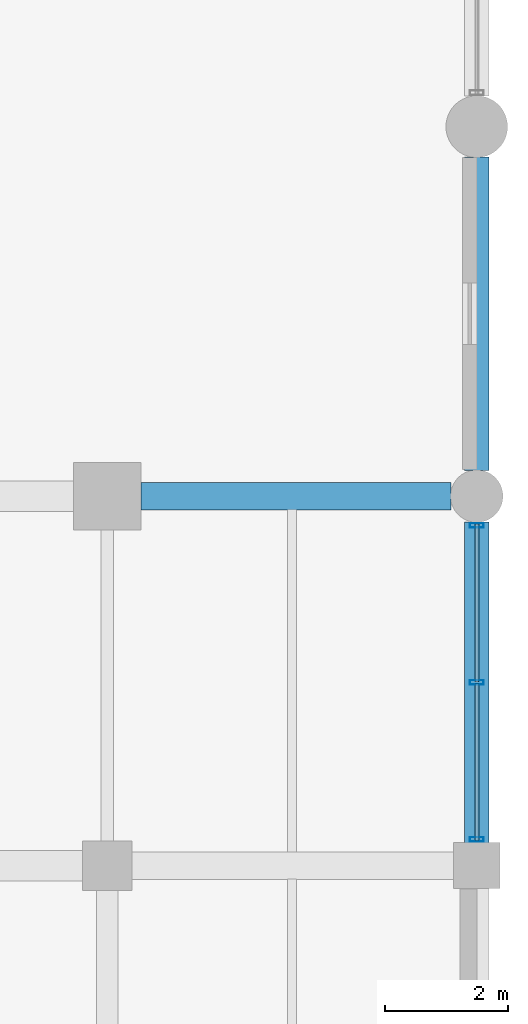
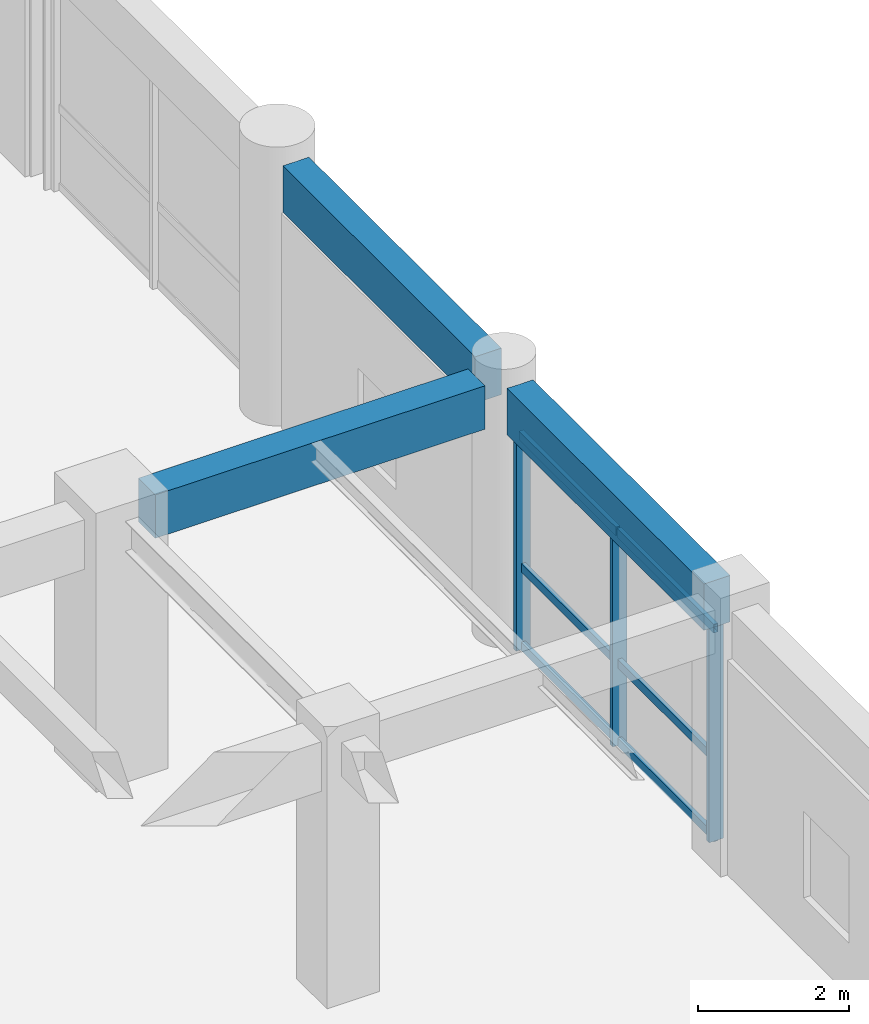
# One storey, part 65 of 133: 9 members, 3 beams, 1 element without a shape of its own.
"""IFC4 building model written with IfcOpenShell, lengths in metres."""

from ifc_helpers import new_model, si_unit, direction, frame, origin, origin_2d, place, context, subcontext, project, spatial, rectangle, hollow_rectangle, extrude, material, material_profile, profile_set, type_object, element, aggregate, save


model = new_model("IFC4")

# Units and contexts
model_context = context("Model", 3, precision=1e-05, world=origin(), true_north=direction((0.0, 1.0)))
body_context = subcontext(model_context, "Body", "Model", "MODEL_VIEW")
ifc_project = project(units=[si_unit("LENGTHUNIT", "METRE"), si_unit("AREAUNIT", "SQUARE_METRE"), si_unit("VOLUMEUNIT", "CUBIC_METRE"), si_unit("PLANEANGLEUNIT", "RADIAN"), si_unit("MASSUNIT", "GRAM", prefix="KILO"), si_unit("THERMODYNAMICTEMPERATUREUNIT", "KELVIN"), si_unit("POWERUNIT", "WATT")], contexts=[model_context])

# Site, building, storey
site_placement = place(None, origin())
site = spatial("IfcSite", under=ifc_project, at=site_placement, CompositionType="ELEMENT")
building_placement = place(site_placement, origin())
building = spatial("IfcBuilding", under=site, at=building_placement, Name="Phaisarnlok Congress Hotel", CompositionType="ELEMENT")
storey_placement = place(building_placement, frame((0.0, 0.0, 6.0)))
storey = spatial("IfcBuildingStorey", under=building, at=storey_placement, Name="L01", CompositionType="ELEMENT", Elevation=6.0)

# Beam
ifc_material_1 = material(Name="Concrete C40/50", Category="concrete")
ifc_material_profile_1 = material_profile(ifc_material_1, rectangle(XDim=0.449951171875, YDim=0.699951171875, at=origin_2d()), Name="RC 450x700")
ifc_profile_set_1 = profile_set([ifc_material_profile_1], Name="Concrete C40/50")
beam_type_1 = type_object("IfcBeamType", Name="BM-RC-450x700", PredefinedType="BEAM", material=ifc_profile_set_1)
beam_1_placement = place(storey_placement, frame((174.544921875, 42.0, 3.8701171875), z_axis=(1.0, 0.0, 0.0), x_axis=(0.0, 1.0, 0.0)))
element("IfcBeam", 1, at=beam_1_placement, inside=storey, type_object=beam_type_1, Name="Beam B-03", PredefinedType="BEAM", context=body_context, shape_type="SweptSolid", body=[
    extrude(rectangle(XDim=0.449951171875, YDim=0.699951171875, at=origin_2d()), origin(), (0.0, 0.0, 1.0), 5.03515625),
])

# Curtain wall, members
ifc_material_2 = material(Name="Thermally Broken Unitised Aluminium & Low-E Glazing", Category="aluminium")
curtain_wall_type = type_object("IfcCurtainWallType", Name="CW-UNIT-15", PredefinedType="NOTDEFINED", material=ifc_material_2)
curtain_wall_placement = place(storey_placement, origin())
curtain_wall = element("IfcCurtainWall", 2, at=curtain_wall_placement, inside=storey, type_object=curtain_wall_type, Name="Unitised curtain wall CW-15 (L01)", PredefinedType="NOTDEFINED")
ifc_material_3 = material(Name="Anodised Aluminium Alloy 6063-T6", Category="aluminium")
ifc_material_profile_2 = material_profile(ifc_material_3, hollow_rectangle(XDim=0.074951171875, YDim=0.219970703125, WallThickness=0.0048828125, at=origin_2d()), Name="ALU-M 75x220x5")
ifc_profile_set_2 = profile_set([ifc_material_profile_2], Name="Anodised Aluminium Alloy 6063-T6")
member_type_1 = type_object("IfcMemberType", Name="CWM-220", PredefinedType="MULLION", material=ifc_profile_set_2)
member_1_placement = place(storey_placement, frame((180.0, 36.425048828125, 0.0), z_axis=(0.0, 0.0, 1.0), x_axis=(0.0, 1.0, 0.0)))
member_1 = element("IfcMember", 3, at=member_1_placement, type_object=member_type_1, Name="Curtain wall mullion CWM-02", PredefinedType="MULLION", context=body_context, shape_type="SweptSolid", body=[
    extrude(hollow_rectangle(XDim=0.074951171875, YDim=0.219970703125, WallThickness=0.0048828125, at=origin_2d()), origin(), (0.0, 0.0, 1.0), 3.469970703125),
])
member_2_placement = place(storey_placement, frame((180.0, 38.97509765625, 0.0), z_axis=(0.0, 0.0, 1.0), x_axis=(0.0, 1.0, 0.0)))
member_2 = element("IfcMember", 4, at=member_2_placement, type_object=member_type_1, Name="Curtain wall mullion CWM-02", PredefinedType="MULLION", context=body_context, shape_type="SweptSolid", body=[
    extrude(hollow_rectangle(XDim=0.074951171875, YDim=0.219970703125, WallThickness=0.0048828125, at=origin_2d()), origin(), (0.0, 0.0, 1.0), 3.469970703125),
])
member_3_placement = place(storey_placement, frame((180.0, 41.52490234375, 0.0), z_axis=(0.0, 0.0, 1.0), x_axis=(0.0, 1.0, 0.0)))
member_3 = element("IfcMember", 5, at=member_3_placement, type_object=member_type_1, Name="Curtain wall mullion CWM-02", PredefinedType="MULLION", context=body_context, shape_type="SweptSolid", body=[
    extrude(hollow_rectangle(XDim=0.074951171875, YDim=0.219970703125, WallThickness=0.0048828125, at=origin_2d()), origin(), (0.0, 0.0, 1.0), 3.469970703125),
])
ifc_material_profile_3 = material_profile(ifc_material_3, hollow_rectangle(XDim=0.06494140625, YDim=0.139892578125, WallThickness=0.00390625, at=origin_2d()), Name="ALU-T 65x140x4")
ifc_profile_set_3 = profile_set([ifc_material_profile_3], Name="Anodised Aluminium Alloy 6063-T6")
member_type_2 = type_object("IfcMemberType", Name="CWT-150", PredefinedType="USERDEFINED", material=ifc_profile_set_3)
member_4_placement = place(storey_placement, frame((180.0, 36.39990234375, 0.050048828125), z_axis=(0.0, 1.0, 0.0), x_axis=(-1.0, 0.0, 0.0)))
member_4 = element("IfcMember", 6, at=member_4_placement, type_object=member_type_2, Name="Curtain wall transom CWT-01", ObjectType="TRANSOM", PredefinedType="USERDEFINED", context=body_context, shape_type="SweptSolid", body=[
    extrude(hollow_rectangle(XDim=0.06494140625, YDim=0.139892578125, WallThickness=0.00390625, at=origin_2d()), origin(), (0.0, 0.0, 1.0), 2.56005859375),
])
member_5_placement = place(storey_placement, frame((180.0, 36.39990234375, 1.318603515625), z_axis=(0.0, 1.0, 0.0), x_axis=(-1.0, 0.0, 0.0)))
member_5 = element("IfcMember", 7, at=member_5_placement, type_object=member_type_2, Name="Curtain wall transom CWT-01", ObjectType="TRANSOM", PredefinedType="USERDEFINED", context=body_context, shape_type="SweptSolid", body=[
    extrude(hollow_rectangle(XDim=0.06494140625, YDim=0.139892578125, WallThickness=0.00390625, at=origin_2d()), origin(), (0.0, 0.0, 1.0), 2.56005859375),
])
member_6_placement = place(storey_placement, frame((180.0, 36.39990234375, 3.419921875), z_axis=(0.0, 1.0, 0.0), x_axis=(-1.0, 0.0, 0.0)))
member_6 = element("IfcMember", 8, at=member_6_placement, type_object=member_type_2, Name="Curtain wall transom CWT-01", ObjectType="TRANSOM", PredefinedType="USERDEFINED", context=body_context, shape_type="SweptSolid", body=[
    extrude(hollow_rectangle(XDim=0.06494140625, YDim=0.139892578125, WallThickness=0.00390625, at=origin_2d()), origin(), (0.0, 0.0, 1.0), 2.56005859375),
])
member_7_placement = place(storey_placement, frame((180.0, 38.989990234375, 0.050048828125), z_axis=(0.0, 1.0, 0.0), x_axis=(-1.0, 0.0, 0.0)))
member_7 = element("IfcMember", 9, at=member_7_placement, type_object=member_type_2, Name="Curtain wall transom CWT-01", ObjectType="TRANSOM", PredefinedType="USERDEFINED", context=body_context, shape_type="SweptSolid", body=[
    extrude(hollow_rectangle(XDim=0.06494140625, YDim=0.139892578125, WallThickness=0.00390625, at=origin_2d()), origin(), (0.0, 0.0, 1.0), 2.56005859375),
])
member_8_placement = place(storey_placement, frame((180.0, 38.989990234375, 1.318603515625), z_axis=(0.0, 1.0, 0.0), x_axis=(-1.0, 0.0, 0.0)))
member_8 = element("IfcMember", 10, at=member_8_placement, type_object=member_type_2, Name="Curtain wall transom CWT-01", ObjectType="TRANSOM", PredefinedType="USERDEFINED", context=body_context, shape_type="SweptSolid", body=[
    extrude(hollow_rectangle(XDim=0.06494140625, YDim=0.139892578125, WallThickness=0.00390625, at=origin_2d()), origin(), (0.0, 0.0, 1.0), 2.56005859375),
])
member_9_placement = place(storey_placement, frame((180.0, 38.989990234375, 3.419921875), z_axis=(0.0, 1.0, 0.0), x_axis=(-1.0, 0.0, 0.0)))
member_9 = element("IfcMember", 11, at=member_9_placement, type_object=member_type_2, Name="Curtain wall transom CWT-01", ObjectType="TRANSOM", PredefinedType="USERDEFINED", context=body_context, shape_type="SweptSolid", body=[
    extrude(hollow_rectangle(XDim=0.06494140625, YDim=0.139892578125, WallThickness=0.00390625, at=origin_2d()), origin(), (0.0, 0.0, 1.0), 2.56005859375),
])
aggregate(curtain_wall, [member_1, member_2, member_3, member_4, member_5, member_6, member_7, member_8, member_9])

# Beams
ifc_material_profile_4 = material_profile(ifc_material_1, rectangle(XDim=0.39990234375, YDim=0.75, at=origin_2d()), Name="RC 400x750")
ifc_profile_set_4 = profile_set([ifc_material_profile_4], Name="Concrete C40/50")
beam_type_2 = type_object("IfcBeamType", Name="SP-RC-400x750", PredefinedType="SPANDREL", material=ifc_profile_set_4)
beam_2_placement = place(storey_placement, frame((180.0, 36.3701171875, 3.844970703125), z_axis=(0.0, 1.0, 0.0), x_axis=(-1.0, 0.0, 0.0)))
element("IfcBeam", 12, at=beam_2_placement, inside=storey, type_object=beam_type_2, Name="Beam SP-02", PredefinedType="SPANDREL", context=body_context, shape_type="SweptSolid", body=[
    extrude(rectangle(XDim=0.39990234375, YDim=0.75, at=origin_2d()), origin(), (0.0, 0.0, 1.0), 5.2099609375),
])
beam_3_placement = place(storey_placement, frame((180.0, 42.419921875, 3.844970703125), z_axis=(0.0, 1.0, 0.0), x_axis=(-1.0, 0.0, 0.0)))
element("IfcBeam", 13, at=beam_3_placement, inside=storey, type_object=beam_type_2, Name="Beam SP-02", PredefinedType="SPANDREL", context=body_context, shape_type="SweptSolid", body=[
    extrude(rectangle(XDim=0.39990234375, YDim=0.75, at=origin_2d()), origin(), (0.0, 0.0, 1.0), 5.0849609375),
])

save(model, "model.ifc")
